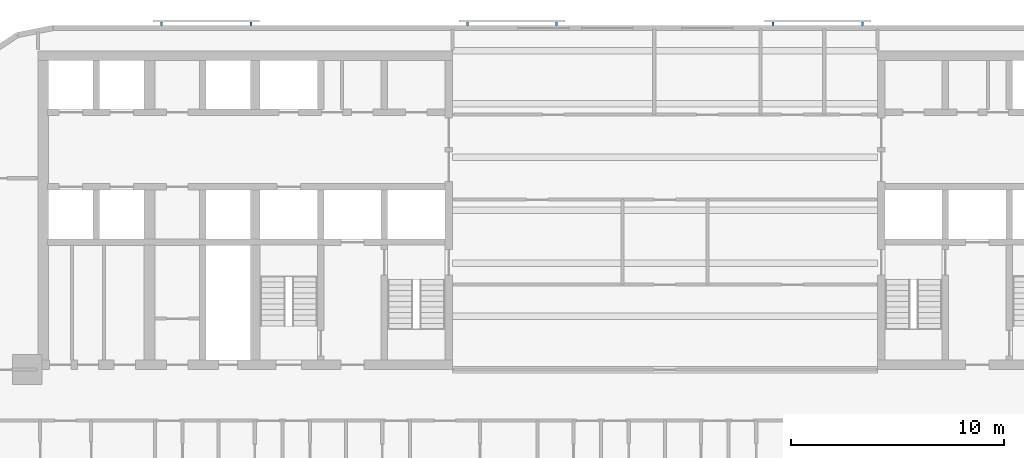
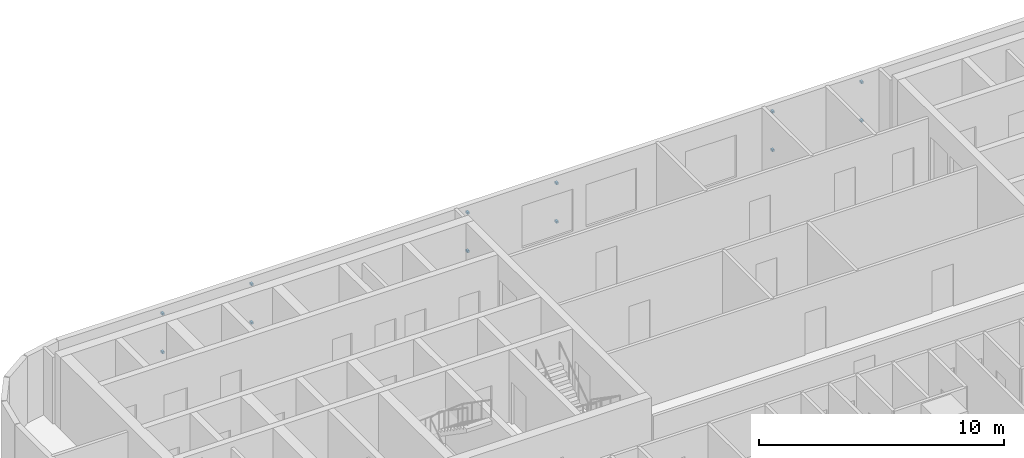
# One storey, part 11 of 15: 12 discrete accessories.
"""IFC4 building model written with IfcOpenShell, lengths in metres."""

from ifc_helpers import new_model, si_unit, direction, frame, origin, origin_2d, place, context, subcontext, project, spatial, rectangle, extrude, material, type_object, element, save


model = new_model("IFC4")

# Units and contexts
model_context = context("Model", 3, precision=1e-05, world=origin(), true_north=direction((0.0, 1.0)))
body_context = subcontext(model_context, "Body", "Model", "MODEL_VIEW")
ifc_project = project(units=[si_unit("LENGTHUNIT", "METRE"), si_unit("AREAUNIT", "SQUARE_METRE"), si_unit("VOLUMEUNIT", "CUBIC_METRE"), si_unit("PLANEANGLEUNIT", "RADIAN"), si_unit("MASSUNIT", "GRAM", prefix="KILO")], contexts=[model_context])

# Site, building, storey
site_placement = place(None, origin())
site = spatial("IfcSite", under=ifc_project, at=site_placement, CompositionType="ELEMENT")
building_placement = place(site_placement, origin())
building = spatial("IfcBuilding", under=site, at=building_placement, Name="Torana Hotel and Residences", CompositionType="ELEMENT")
storey_placement = place(building_placement, frame((0.0, 0.0, 49.199951171875)))
storey = spatial("IfcBuildingStorey", under=building, at=storey_placement, Name="L11", CompositionType="ELEMENT", Elevation=49.199951171875)

# Discrete accessories
ifc_material = material(Name="Steel S355", Category="steel")
discrete_accessory_type = type_object("IfcDiscreteAccessoryType", Name="SCREEN BRACKET 100", PredefinedType="BRACKET", material=ifc_material)
for number, where, z_axis, x_axis, name in (
    (1, (9.293701171875, 1.27490234375, 0.75), (0.0, 0.0, 1.0), (-1.0, 0.0, 0.0), "Screen bracket L11"),
    (2, (9.293701171875, 1.27490234375, 2.669921875), (0.0, 0.0, 1.0), (-1.0, 0.0, 0.0), "Screen bracket L11"),
    (3, (5.09375, 1.27490234375, 0.75), (0.0, 0.0, 1.0), (-1.0, 0.0, 0.0), "Screen bracket L11"),
    (4, (5.09375, 1.27490234375, 2.669921875), (0.0, 0.0, 1.0), (-1.0, 0.0, 0.0), "Screen bracket L11"),
    (5, (-5.09375, 1.27490234375, 0.75), (0.0, 0.0, 1.0), (-1.0, 0.0, 0.0), "Screen bracket L11"),
    (6, (-5.09375, 1.27490234375, 2.669921875), (0.0, 0.0, 1.0), (-1.0, 0.0, 0.0), "Screen bracket L11"),
    (7, (-9.293701171875, 1.27490234375, 0.75), (0.0, 0.0, 1.0), (-1.0, 0.0, 0.0), "Screen bracket L11"),
    (8, (-9.293701171875, 1.27490234375, 2.669921875), (0.0, 0.0, 1.0), (-1.0, 0.0, 0.0), "Screen bracket L11"),
    (9, (-19.4814453125, 1.27490234375, 0.75), (0.0, 0.0, 1.0), (-1.0, 0.0, 0.0), "Screen bracket L11"),
    (10, (-19.4814453125, 1.27490234375, 2.669921875), (0.0, 0.0, 1.0), (-1.0, 0.0, 0.0), "Screen bracket L11"),
    (11, (-23.681396484375, 1.27490234375, 0.75), (0.0, 0.0, 1.0), (-1.0, 0.0, 0.0), "Screen bracket L11"),
    (12, (-23.681396484375, 1.27490234375, 2.669921875), (0.0, 0.0, 1.0), (-1.0, 0.0, 0.0), "Screen bracket L11"),
):
    element("IfcDiscreteAccessory", number, at=place(storey_placement, frame(where, z_axis=z_axis, x_axis=x_axis)), inside=storey, type_object=discrete_accessory_type, Name=name, PredefinedType="BRACKET", context=body_context, shape_type="SweptSolid", body=[
        extrude(rectangle(XDim=0.10009765625, YDim=0.14990234375, at=origin_2d()), origin(), (0.0, 0.0, 1.0), 0.10009765625),
    ])

save(model, "model.ifc")
